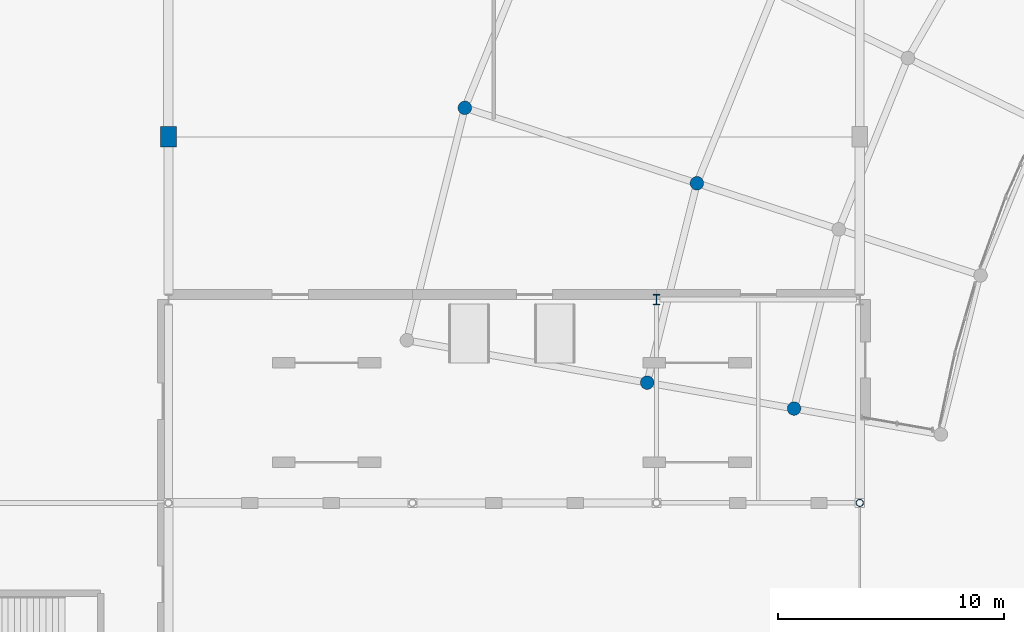
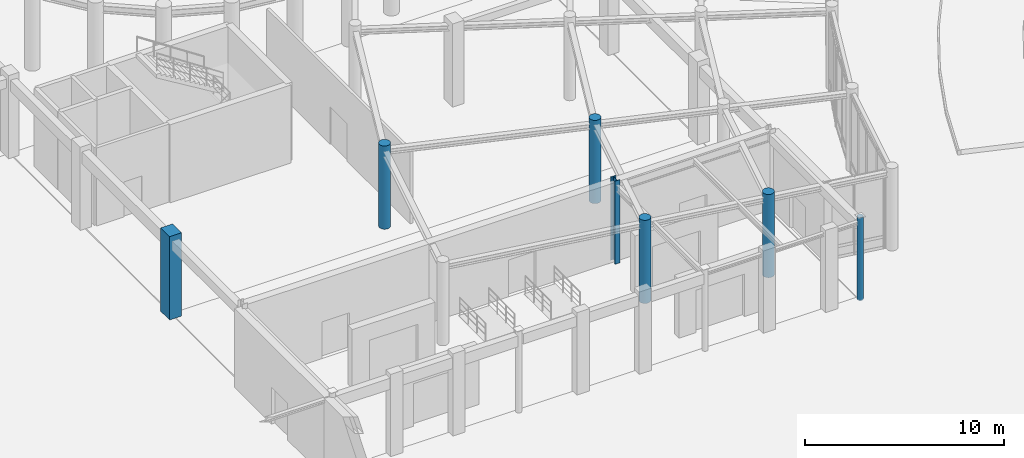
# One storey, part 3 of 64: 7 columns.
"""IFC4 building model written with IfcOpenShell, lengths in metres."""

from ifc_helpers import new_model, si_unit, direction, frame, origin, origin_2d, place, context, subcontext, project, spatial, rectangle, circle, hollow_circle, i_section, extrude, material, material_profile, profile_set, type_object, element, save


model = new_model("IFC4")

# Units and contexts
model_context = context("Model", 3, precision=1e-05, world=origin(), true_north=direction((0.0, 1.0)))
body_context = subcontext(model_context, "Body", "Model", "MODEL_VIEW")
ifc_project = project(units=[si_unit("LENGTHUNIT", "METRE"), si_unit("AREAUNIT", "SQUARE_METRE"), si_unit("VOLUMEUNIT", "CUBIC_METRE"), si_unit("PLANEANGLEUNIT", "RADIAN"), si_unit("MASSUNIT", "GRAM", prefix="KILO")], contexts=[model_context])

# Site, building, storey
site_placement = place(None, origin())
site = spatial("IfcSite", under=ifc_project, at=site_placement, CompositionType="ELEMENT")
building_placement = place(site_placement, origin())
building = spatial("IfcBuilding", under=site, at=building_placement, Name="Clarverna Civic Hall", CompositionType="ELEMENT")
storey_placement = place(building_placement, origin())
storey = spatial("IfcBuildingStorey", under=building, at=storey_placement, Name="L00", CompositionType="ELEMENT", Elevation=0.0)

# Columns
ifc_material_1 = material(Name="Concrete C35/45", Category="concrete")
ifc_material_profile_1 = material_profile(ifc_material_1, circle(Radius=0.300048828125, at=origin_2d()), Name="RC D600")
ifc_profile_set_1 = profile_set([ifc_material_profile_1], Name="Concrete C35/45")
column_type_1 = type_object("IfcColumnType", Name="C-CV1", PredefinedType="COLUMN", material=ifc_profile_set_1)
for number, where, z_axis, x_axis, name in (
    (1, (89.9912109375, 28.14794921875, 0.0), (0.0, 0.0, 1.0), (1.0, 0.0, 0.0), "C-CV1-018"),
    (2, (87.79052734375, 19.322021484375, 0.0), (0.0, 0.0, 1.0), (1.0, 0.0, 0.0), "C-CV1-020"),
    (3, (79.7197265625, 31.4853515625, 0.0), (0.0, 0.0, 1.0), (1.0, 0.0, 0.0), "C-CV1-036"),
    (4, (94.290283203125, 18.17578125, 0.0), (0.0, 0.0, 1.0), (1.0, 0.0, 0.0), "C-CV1-058"),
):
    element("IfcColumn", number, at=place(storey_placement, frame(where, z_axis=z_axis, x_axis=x_axis)), inside=storey, type_object=column_type_1, Name=name, PredefinedType="COLUMN", context=body_context, shape_type="SweptSolid", body=[
        extrude(circle(Radius=0.300048828125, at=origin_2d()), origin(), (0.0, 0.0, 1.0), 5.10009765625),
    ])
ifc_material_2 = material(Name="Concrete C40/50", Category="concrete")
ifc_material_profile_2 = material_profile(ifc_material_2, rectangle(XDim=0.699951171875, YDim=0.89990234375, at=origin_2d()), Name="RC 700x900")
ifc_profile_set_2 = profile_set([ifc_material_profile_2], Name="Concrete C40/50")
column_type_2 = type_object("IfcColumnType", Name="C-RC6", PredefinedType="COLUMN", material=ifc_profile_set_2)
column_1_placement = place(storey_placement, frame((66.60009765625, 30.199951171875, 0.0), z_axis=(0.0, 0.0, 1.0), x_axis=(1.0, 0.0, 0.0)))
element("IfcColumn", 5, at=column_1_placement, inside=storey, type_object=column_type_2, Name="C-RC6-061", PredefinedType="COLUMN", context=body_context, shape_type="SweptSolid", body=[
    extrude(rectangle(XDim=0.699951171875, YDim=0.89990234375, at=origin_2d()), origin(), (0.0, 0.0, 1.0), 5.10009765625),
])
ifc_material_3 = material(Name="Steel S355", Category="steel")
ifc_material_profile_3 = material_profile(ifc_material_3, hollow_circle(Radius=0.161865234375, WallThickness=0.012451171875, at=origin_2d()), Name="CHS 323.9x12.5")
ifc_profile_set_3 = profile_set([ifc_material_profile_3], Name="Steel S355")
column_type_3 = type_object("IfcColumnType", Name="C-ST13", PredefinedType="COLUMN", material=ifc_profile_set_3)
column_2_placement = place(storey_placement, frame((97.199951171875, 14.0, 0.0), z_axis=(0.0, 0.0, 1.0), x_axis=(1.0, 0.0, 0.0)))
element("IfcColumn", 6, at=column_2_placement, inside=storey, type_object=column_type_3, Name="C-ST13-005", PredefinedType="COLUMN", context=body_context, shape_type="SweptSolid", body=[
    extrude(hollow_circle(Radius=0.161865234375, WallThickness=0.012451171875, at=origin_2d()), origin(), (0.0, 0.0, 1.0), 5.10009765625),
])
ifc_material_profile_4 = material_profile(ifc_material_3, i_section(OverallWidth=0.300048828125, OverallDepth=0.449951171875, WebThickness=0.013916015625, FlangeThickness=0.02587890625, FilletRadius=0.027099609375, at=origin_2d()), Name="HEB 450")
ifc_profile_set_4 = profile_set([ifc_material_profile_4], Name="Steel S355")
column_type_4 = type_object("IfcColumnType", Name="C-ST2", PredefinedType="COLUMN", material=ifc_profile_set_4)
column_3_placement = place(storey_placement, frame((88.199951171875, 23.0, 0.0), z_axis=(0.0, 0.0, 1.0), x_axis=(1.0, 0.0, 0.0)))
element("IfcColumn", 7, at=column_3_placement, inside=storey, type_object=column_type_4, Name="C-ST2-003", PredefinedType="COLUMN", context=body_context, shape_type="SweptSolid", body=[
    extrude(i_section(OverallWidth=0.300048828125, OverallDepth=0.449951171875, WebThickness=0.013916015625, FlangeThickness=0.02587890625, FilletRadius=0.027099609375, at=origin_2d()), origin(), (0.0, 0.0, 1.0), 5.10009765625),
])

save(model, "model.ifc")
